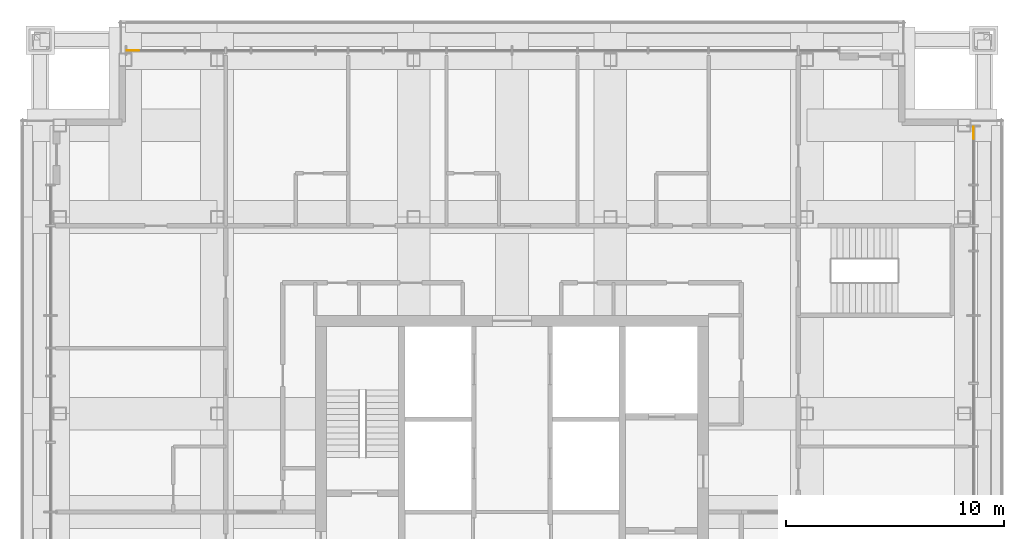
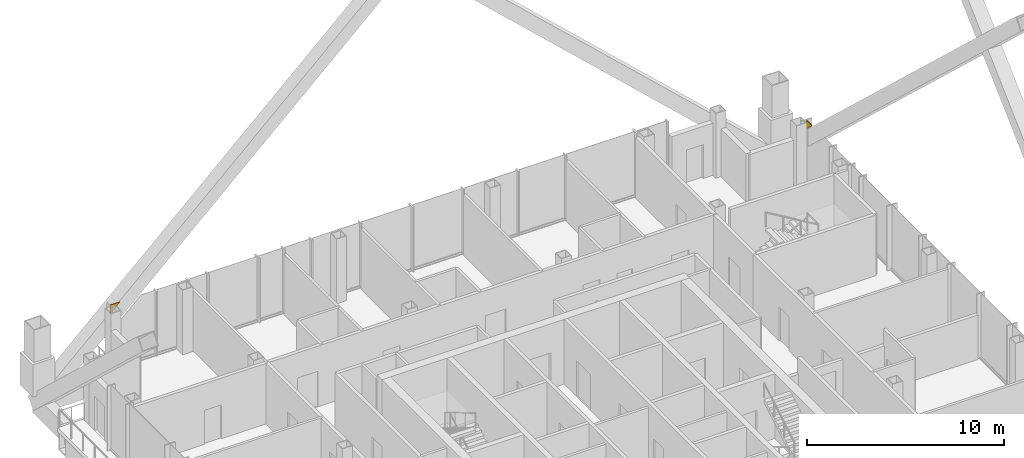
# One storey, part 19 of 19: 2 coverings.
"""IFC4 building model written with IfcOpenShell, lengths in metres."""

from ifc_helpers import new_model, si_unit, direction, frame, origin, place, context, subcontext, project, spatial, polyline, outline, extrude, material, layer, layer_set, type_object, element, save


model = new_model("IFC4")

# Units and contexts
model_context = context("Model", 3, precision=1e-05, world=origin(), true_north=direction((0.0, 1.0)))
body_context = subcontext(model_context, "Body", "Model", "MODEL_VIEW")
ifc_project = project(units=[si_unit("LENGTHUNIT", "METRE"), si_unit("AREAUNIT", "SQUARE_METRE"), si_unit("VOLUMEUNIT", "CUBIC_METRE"), si_unit("PLANEANGLEUNIT", "RADIAN"), si_unit("MASSUNIT", "GRAM", prefix="KILO")], contexts=[model_context])

# Site, building, storey
site_placement = place(None, origin())
site = spatial("IfcSite", under=ifc_project, at=site_placement, CompositionType="ELEMENT")
building_placement = place(site_placement, origin())
building = spatial("IfcBuilding", under=site, at=building_placement, Name="Malebo Sky Hospital", CompositionType="ELEMENT")
storey_placement = place(building_placement, frame((0.0, 0.0, 250.0)))
storey = spatial("IfcBuildingStorey", under=building, at=storey_placement, Name="L60", CompositionType="ELEMENT", Elevation=250.0)

# Coverings
ifc_material = material(Name="Anodised aluminium, natural silver insulated infill panel", Category="aluminium")
ifc_layer = layer(ifc_material, 0.0400390625)
ifc_layer_set = layer_set([ifc_layer], Name="BRACE INFILL PANEL 40")
covering_type = type_object("IfcCoveringType", Name="BRACE INFILL PANEL 40", PredefinedType="CLADDING", material=ifc_layer_set)
for number, where, z_axis, x_axis, name in (
    (1, (42.660888671875, 83.125, 3.454833984375), (0.0, 0.0, 1.0), (1.0, 0.0, 0.0), "Brace infill panel 1.1"),
    (2, (81.125, 79.339111328125, 3.454833984375), (0.0, 0.0, 1.0), (0.0, -1.0, 0.0), "Brace infill panel 1.1"),
):
    element("IfcCovering", number, at=place(storey_placement, frame(where, z_axis=z_axis, x_axis=x_axis)), inside=storey, type_object=covering_type, Name=name, PredefinedType="CLADDING", context=body_context, shape_type="SweptSolid", body=[
        extrude(outline(polyline([(-0.285888671875, 0.0), (0.28564453125, 0.53515625), (-0.285888671875, 0.53515625), (-0.285888671875, 0.0)])), frame((0.0, 0.02001953125, 0.0), z_axis=(0.0, -1.0, 0.0), x_axis=(1.0, 0.0, 0.0)), (0.0, 0.0, 1.0), 0.0400390625),
    ])

save(model, "model.ifc")
